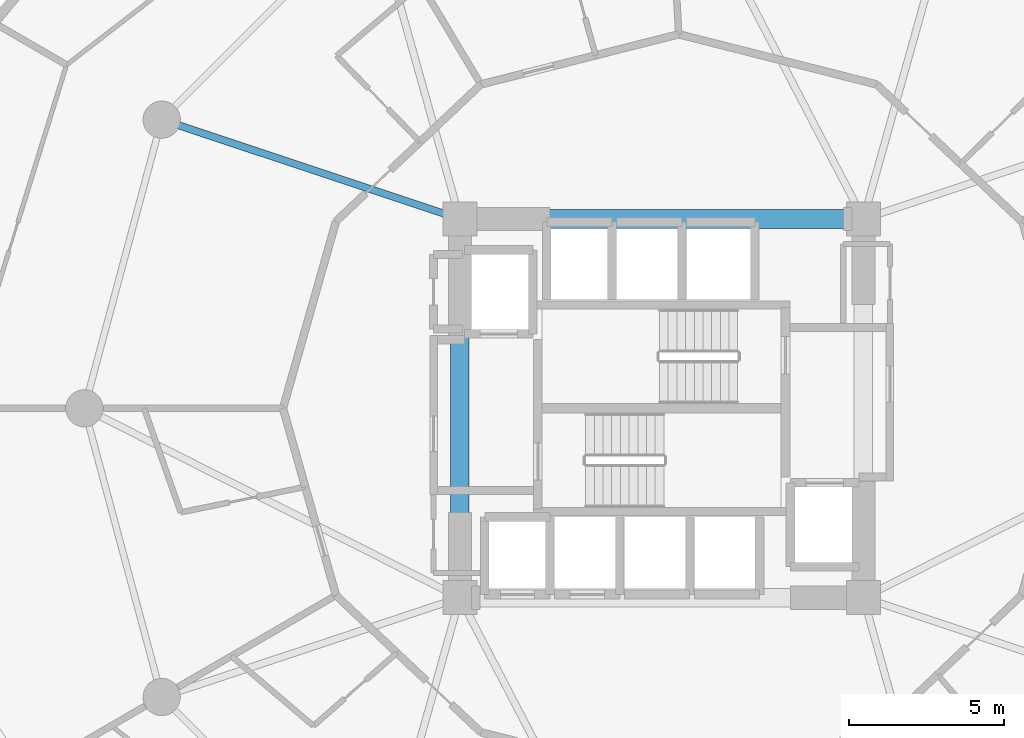
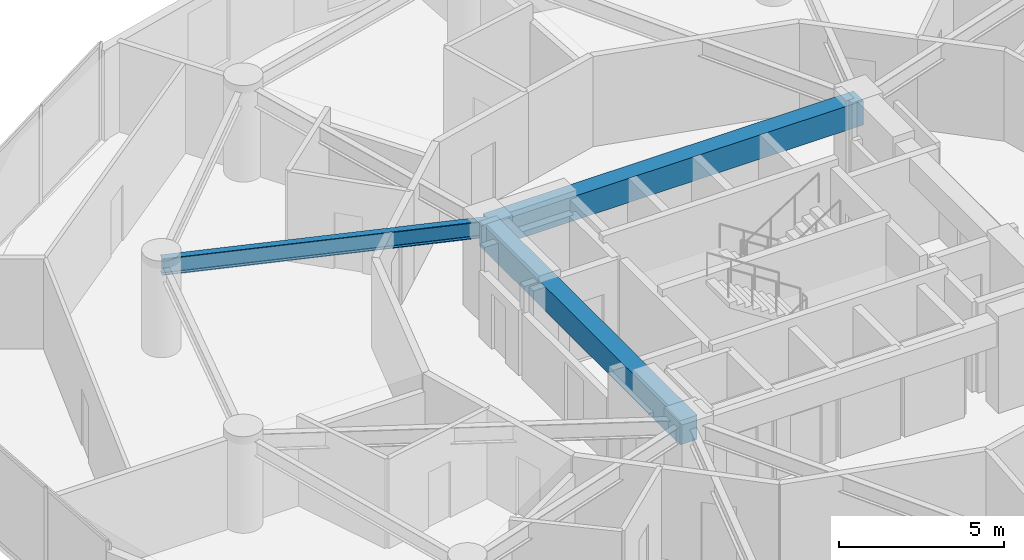
# One storey, part 7 of 23: 3 beams.
"""IFC4 building model written with IfcOpenShell, lengths in metres."""

from ifc_helpers import new_model, si_unit, direction, frame, origin, origin_2d, place, context, subcontext, project, spatial, rectangle, i_section, extrude, material, material_profile, profile_set, type_object, element, save


model = new_model("IFC4")

# Units and contexts
model_context = context("Model", 3, precision=1e-05, world=origin(), true_north=direction((0.0, 1.0)))
body_context = subcontext(model_context, "Body", "Model", "MODEL_VIEW")
ifc_project = project(units=[si_unit("LENGTHUNIT", "METRE"), si_unit("AREAUNIT", "SQUARE_METRE"), si_unit("VOLUMEUNIT", "CUBIC_METRE"), si_unit("PLANEANGLEUNIT", "RADIAN"), si_unit("MASSUNIT", "GRAM", prefix="KILO")], contexts=[model_context])

# Site, building, storey
site_placement = place(None, origin())
site = spatial("IfcSite", under=ifc_project, at=site_placement, CompositionType="ELEMENT")
building_placement = place(site_placement, origin())
building = spatial("IfcBuilding", under=site, at=building_placement, Name="Solvirekh Grand Hotel", CompositionType="ELEMENT")
storey_placement = place(building_placement, frame((0.0, 0.0, 39.199951171875)))
storey = spatial("IfcBuildingStorey", under=building, at=storey_placement, Name="L08", CompositionType="ELEMENT", Elevation=39.199951171875)

# Beams
ifc_material_1 = material(Name="Concrete C50/60", Category="concrete")
ifc_material_profile_1 = material_profile(ifc_material_1, rectangle(XDim=0.60009765625, YDim=0.89990234375, at=origin_2d()), Name="RC BEAM 600X900")
ifc_profile_set_1 = profile_set([ifc_material_profile_1], Name="Concrete C50/60")
beam_type_1 = type_object("IfcBeamType", Name="Beam_Core_RC900", PredefinedType="BEAM", material=ifc_profile_set_1)
beam_1_placement = place(storey_placement, frame((6.5, 6.10009765625, 2.89013671875), z_axis=(-1.0, 0.0, 0.0), x_axis=(0.0, -1.0, 0.0)))
element("IfcBeam", 1, at=beam_1_placement, inside=storey, type_object=beam_type_1, Name="L08 core coupling ring beam 3", PredefinedType="BEAM", context=body_context, shape_type="SweptSolid", body=[
    extrude(rectangle(XDim=0.60009765625, YDim=0.89990234375, at=origin_2d()), origin(), (0.0, 0.0, 1.0), 13.0),
])
beam_2_placement = place(storey_placement, frame((-6.5, 6.10009765625, 2.89013671875), z_axis=(0.0, -1.0, 0.0), x_axis=(1.0, 0.0, 0.0)))
element("IfcBeam", 2, at=beam_2_placement, inside=storey, type_object=beam_type_1, Name="L08 core coupling ring beam 4", PredefinedType="BEAM", context=body_context, shape_type="SweptSolid", body=[
    extrude(rectangle(XDim=0.60009765625, YDim=0.89990234375, at=origin_2d()), origin(), (0.0, 0.0, 1.0), 12.2001953125),
])
ifc_material_2 = material(Name="Steel S355", Category="steel")
ifc_material_profile_2 = material_profile(ifc_material_2, i_section(OverallWidth=0.22998046875, OverallDepth=0.615966796875, WebThickness=0.013916015625, FlangeThickness=0.02392578125, FilletRadius=0.014892578125, at=origin_2d()), Name="W610X174")
ifc_profile_set_2 = profile_set([ifc_material_profile_2], Name="Steel S355")
beam_type_2 = type_object("IfcBeamType", Name="Beam_Primary_W610H", PredefinedType="BEAM", material=ifc_profile_set_2)
beam_3_placement = place(storey_placement, frame((-6.5, 6.10009765625, 3.031982421875), z_axis=(-0.948762825819, 0.315989082635, 0.0), x_axis=(-0.315989082635, -0.948762825819, 0.0)))
element("IfcBeam", 3, at=beam_3_placement, inside=storey, type_object=beam_type_2, Name="L08 radial floor beam R06", PredefinedType="BEAM", context=body_context, shape_type="SweptSolid", body=[
    extrude(i_section(OverallWidth=0.22998046875, OverallDepth=0.615966796875, WebThickness=0.013916015625, FlangeThickness=0.02392578125, FilletRadius=0.014892578125, at=origin_2d()), origin(), (0.0, 0.0, 1.0), 10.126708984375),
])

save(model, "model.ifc")
